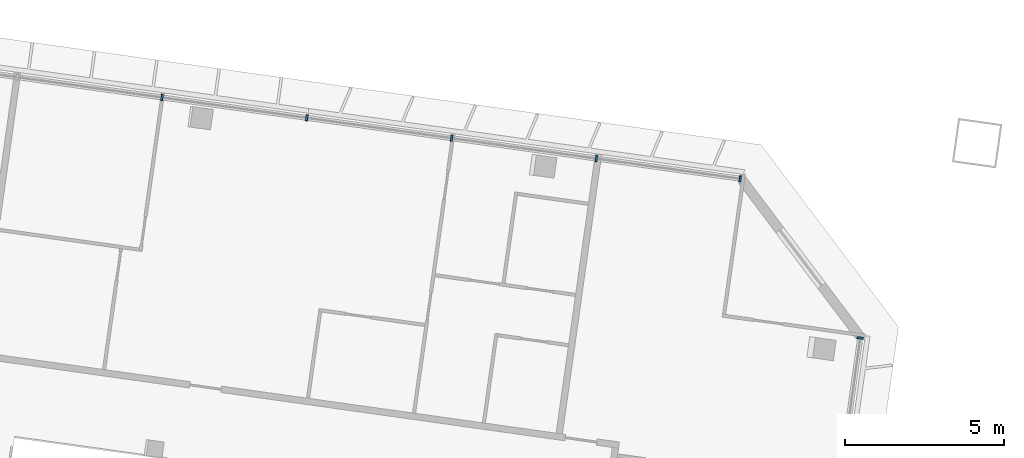
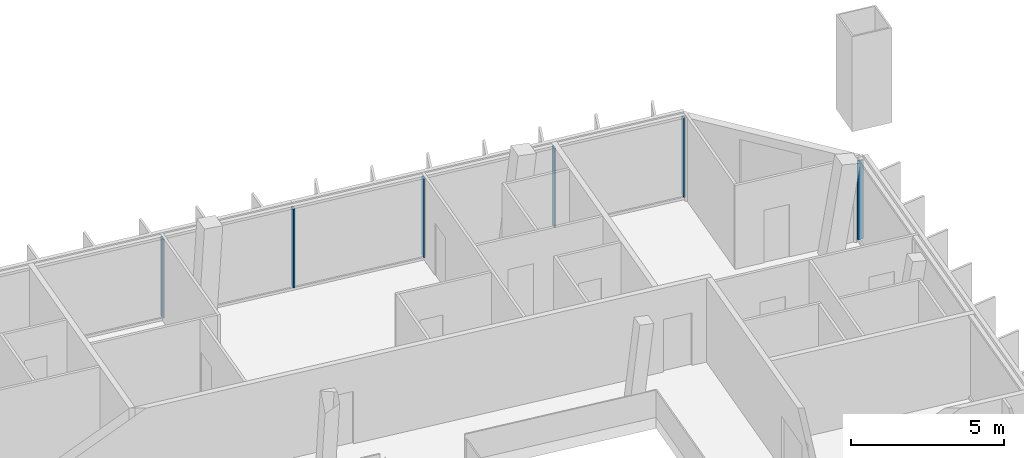
# One storey, part 7 of 23: 6 members, 2 elements without a shape of their own.
"""IFC4 building model written with IfcOpenShell, lengths in metres."""

from ifc_helpers import new_model, si_unit, direction, frame, origin, origin_2d, place, context, subcontext, project, spatial, rectangle, extrude, material, material_profile, profile_set, type_object, element, aggregate, save


model = new_model("IFC4")

# Units and contexts
model_context = context("Model", 3, precision=1e-05, world=origin(), true_north=direction((0.0, 1.0)))
body_context = subcontext(model_context, "Body", "Model", "MODEL_VIEW")
ifc_project = project(units=[si_unit("LENGTHUNIT", "METRE"), si_unit("AREAUNIT", "SQUARE_METRE"), si_unit("VOLUMEUNIT", "CUBIC_METRE"), si_unit("PLANEANGLEUNIT", "RADIAN"), si_unit("MASSUNIT", "GRAM", prefix="KILO")], contexts=[model_context])

# Site, building, storey
site_placement = place(None, origin())
site = spatial("IfcSite", under=ifc_project, at=site_placement, CompositionType="ELEMENT")
building_placement = place(site_placement, origin())
building = spatial("IfcBuilding", under=site, at=building_placement, Name="Mirante Cascada Hotel Towers", CompositionType="ELEMENT")
storey_placement = place(building_placement, frame((0.0, 0.0, 220.4)))
storey = spatial("IfcBuildingStorey", under=building, at=storey_placement, Name="L52", CompositionType="ELEMENT", Elevation=220.4)

# Curtain wall, members
ifc_material_1 = material(Name="Aluminium mullion and transom frame with clear laminated glass", Category="aluminium")
curtain_wall_type_1 = type_object("IfcCurtainWallType", Name="Ribbon curtain wall ECW1", PredefinedType="NOTDEFINED", material=ifc_material_1)
curtain_wall_1_placement = place(storey_placement, origin())
curtain_wall_1 = element("IfcCurtainWall", 1, at=curtain_wall_1_placement, inside=storey, type_object=curtain_wall_type_1, Name="Front ribbon wall T1 L52", PredefinedType="NOTDEFINED")
ifc_material_2 = material(Name="Anodised aluminium extrusion", Category="aluminium")
ifc_material_profile_1 = material_profile(ifc_material_2, rectangle(XDim=0.2, YDim=0.065, at=origin_2d()), Name="ECW1 MULLION 65x200")
ifc_profile_set_1 = profile_set([ifc_material_profile_1], Name="Anodised aluminium extrusion")
member_type_1 = type_object("IfcMemberType", Name="ECW1 mullion 65x200", PredefinedType="MULLION", material=ifc_profile_set_1)
member_1_placement = place(storey_placement, frame((-44.5995, 19.0871, 0.1), z_axis=(0.0, 0.0, 1.0), x_axis=(0.1391731, 0.9902681, 0.0)))
member_1 = element("IfcMember", 2, at=member_1_placement, type_object=member_type_1, Name="ECW1 mullion 6", PredefinedType="MULLION", context=body_context, shape_type="SweptSolid", body=[
    extrude(rectangle(XDim=0.2, YDim=0.065, at=origin_2d()), origin(), (0.0, 0.0, 1.0), 3.15),
])
member_2_placement = place(storey_placement, frame((-40.0352, 18.4456, 0.1), z_axis=(0.0, 0.0, 1.0), x_axis=(0.1391731, 0.9902681, 0.0)))
member_2 = element("IfcMember", 3, at=member_2_placement, type_object=member_type_1, Name="ECW1 mullion 7", PredefinedType="MULLION", context=body_context, shape_type="SweptSolid", body=[
    extrude(rectangle(XDim=0.2, YDim=0.065, at=origin_2d()), origin(), (0.0, 0.0, 1.0), 3.15),
])
member_3_placement = place(storey_placement, frame((-35.4709, 17.8041, 0.1), z_axis=(0.0, 0.0, 1.0), x_axis=(0.1391731, 0.9902681, 0.0)))
member_3 = element("IfcMember", 4, at=member_3_placement, type_object=member_type_1, Name="ECW1 mullion 8", PredefinedType="MULLION", context=body_context, shape_type="SweptSolid", body=[
    extrude(rectangle(XDim=0.2, YDim=0.065, at=origin_2d()), origin(), (0.0, 0.0, 1.0), 3.15),
])
member_4_placement = place(storey_placement, frame((-30.9066, 17.1627, 0.1), z_axis=(0.0, 0.0, 1.0), x_axis=(0.1391731, 0.9902681, 0.0)))
member_4 = element("IfcMember", 5, at=member_4_placement, type_object=member_type_1, Name="ECW1 mullion 9", PredefinedType="MULLION", context=body_context, shape_type="SweptSolid", body=[
    extrude(rectangle(XDim=0.2, YDim=0.065, at=origin_2d()), origin(), (0.0, 0.0, 1.0), 3.15),
])
member_5_placement = place(storey_placement, frame((-26.3745, 16.5257, 0.1), z_axis=(0.0, 0.0, 1.0), x_axis=(0.1391731, 0.9902681, 0.0)))
member_5 = element("IfcMember", 6, at=member_5_placement, type_object=member_type_1, Name="ECW1 mullion 10", PredefinedType="MULLION", context=body_context, shape_type="SweptSolid", body=[
    extrude(rectangle(XDim=0.2, YDim=0.065, at=origin_2d()), origin(), (0.0, 0.0, 1.0), 3.15),
])
aggregate(curtain_wall_1, [member_1, member_2, member_3, member_4, member_5])

# Curtain wall, member
ifc_material_3 = material(Name="Aluminium mullion and transom frame with clear laminated glass", Category="aluminium")
curtain_wall_type_2 = type_object("IfcCurtainWallType", Name="End ribbon curtain wall ECW2", PredefinedType="NOTDEFINED", material=ifc_material_3)
curtain_wall_2_placement = place(storey_placement, origin())
curtain_wall_2 = element("IfcCurtainWall", 7, at=curtain_wall_2_placement, inside=storey, type_object=curtain_wall_type_2, Name="Inner end wall T1 L52", PredefinedType="NOTDEFINED")
ifc_material_4 = material(Name="Anodised aluminium extrusion", Category="aluminium")
ifc_material_profile_2 = material_profile(ifc_material_4, rectangle(XDim=0.2, YDim=0.065, at=origin_2d()), Name="ECW2 MULLION 65x200")
ifc_profile_set_2 = profile_set([ifc_material_profile_2], Name="Anodised aluminium extrusion")
member_type_2 = type_object("IfcMemberType", Name="ECW2 mullion 65x200", PredefinedType="MULLION", material=ifc_profile_set_2)
member_6_placement = place(storey_placement, frame((-22.5917, 11.5058, 0.1), z_axis=(0.0, 0.0, 1.0), x_axis=(0.9902681, -0.1391731, 0.0)))
member_6 = element("IfcMember", 8, at=member_6_placement, type_object=member_type_2, Name="ECW2 mullion 1", PredefinedType="MULLION", context=body_context, shape_type="SweptSolid", body=[
    extrude(rectangle(XDim=0.2, YDim=0.065, at=origin_2d()), origin(), (0.0, 0.0, 1.0), 3.15),
])
aggregate(curtain_wall_2, [member_6])

save(model, "model.ifc")
